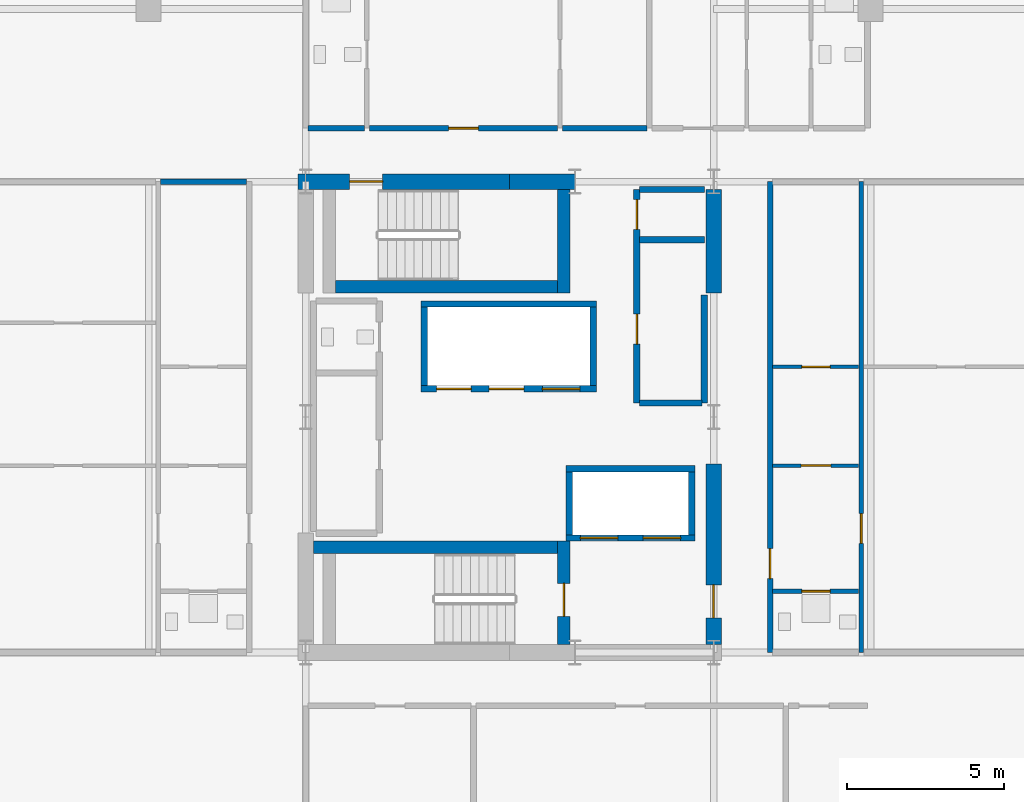
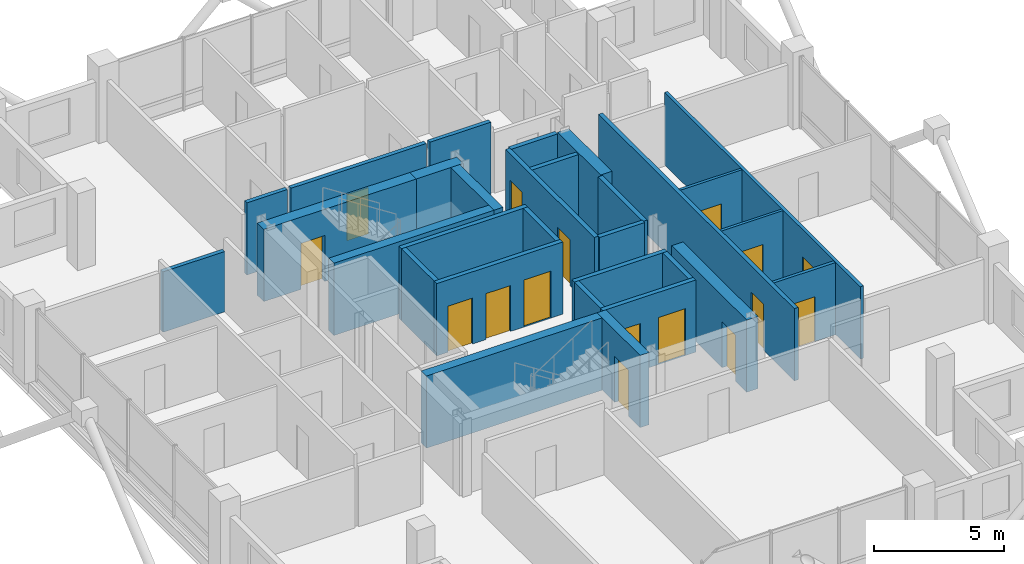
# One storey, part 19 of 23: 30 walls, 16 doors, 16 openings.
"""IFC4 building model written with IfcOpenShell, lengths in metres."""

import ifcopenshell
import ifcopenshell.guid

model = None  # the IFC model being written
_history = None  # IfcOwnerHistory: only IFC2X3 demands one
_inside = {}  # id of a spatial element -> (the spatial element, [elements in it])
_under = {}  # id of a project, library or spatial element -> (it, [spatial elements below it])
_declared = {}  # id of a project -> (the project, [libraries it declares])
_typed = {}  # id of a type object -> (the type object, [elements of that type])
_made_of = {}  # id of a material, layer set ... -> (it, [elements and type objects made of it])


def new_model(schema):
    """Start an empty IFC model of exactly this schema.

    Asked for "IFC4X3", IfcOpenShell would pick the latest addendum, in which some entities
    have other attributes; the version numbers below select the first issue.
    IFC2X3 requires an IfcOwnerHistory on every rooted entity: one is made here for all.
    """
    global model, _history
    if schema == "IFC4X3":
        model = ifcopenshell.file(schema_version=(4, 3, 0, 0))
    else:
        model = ifcopenshell.file(schema=schema)
    _inside.clear()
    _under.clear()
    _declared.clear()
    _typed.clear()
    _made_of.clear()
    _history = None
    if model.schema == "IFC2X3":
        org = make("IfcOrganization", Name="unknown")
        user = make(
            "IfcPersonAndOrganization",
            ThePerson=make("IfcPerson", FamilyName="unknown"),
            TheOrganization=org,
        )
        app = make(
            "IfcApplication",
            ApplicationDeveloper=org,
            Version="unknown",
            ApplicationFullName="unknown",
            ApplicationIdentifier="unknown",
        )
        _history = make(
            "IfcOwnerHistory",
            OwningUser=user,
            OwningApplication=app,
            ChangeAction="ADDED",
            CreationDate=0,
        )
    return model


def make(cls, **values):
    """One entity of the class cls with the attributes given. An attribute that is None is left unset."""
    return model.create_entity(
        cls, **{name: value for name, value in values.items() if value is not None}
    )


def rooted(cls, **values):
    """An entity with a GlobalId (a new one), such as an element, a storey or a relation."""
    return make(cls, GlobalId=ifcopenshell.guid.new(), OwnerHistory=_history, **values)


def si_unit(unit_type, name, prefix=None):
    """IfcSIUnit, for example si_unit("LENGTHUNIT", "METRE", prefix="MILLI")."""
    return make("IfcSIUnit", UnitType=unit_type, Prefix=prefix, Name=name)


def assignment(units):
    """IfcUnitAssignment: the units of a project."""
    return None if units is None else make("IfcUnitAssignment", Units=units)


def point(xyz):
    """IfcCartesianPoint."""
    return None if xyz is None else make("IfcCartesianPoint", Coordinates=xyz)


def direction(xyz):
    """IfcDirection."""
    return None if xyz is None else make("IfcDirection", DirectionRatios=xyz)


def frame(location, z_axis=None, x_axis=None):
    """IfcAxis2Placement3D, a coordinate frame: its origin and axes. An axis left out is left unset."""
    return make(
        "IfcAxis2Placement3D",
        Location=point(location),
        Axis=direction(z_axis),
        RefDirection=direction(x_axis),
    )


def frame_2d(location, x_axis=None):
    """IfcAxis2Placement2D, a coordinate frame in the plane: its origin and x axis."""
    return make(
        "IfcAxis2Placement2D", Location=point(location), RefDirection=direction(x_axis)
    )


def origin():
    """The frame at (0, 0, 0) with its axes left unset."""
    return frame((0.0, 0.0, 0.0))


def place(relative_to, where):
    """IfcLocalPlacement: puts the frame where relative to a parent placement (None: the world)."""
    return make(
        "IfcLocalPlacement", PlacementRelTo=relative_to, RelativePlacement=where
    )


def context(
    kind, dimensions, precision=None, world=None, true_north=None, identifier=None
):
    """IfcGeometricRepresentationContext, for example the 3D "Model" context."""
    return make(
        "IfcGeometricRepresentationContext",
        ContextIdentifier=identifier,
        ContextType=kind,
        CoordinateSpaceDimension=dimensions,
        Precision=precision,
        WorldCoordinateSystem=world,
        TrueNorth=true_north,
    )


def subcontext(parent, identifier, kind, view, scale=None):
    """IfcGeometricRepresentationSubContext, for example "Body" below "Model"."""
    return make(
        "IfcGeometricRepresentationSubContext",
        ContextIdentifier=identifier,
        ContextType=kind,
        ParentContext=parent,
        TargetScale=scale,
        TargetView=view,
    )


def project(units=None, contexts=None):
    """IfcProject with its units and contexts."""
    return rooted(
        "IfcProject",
        Name="project",
        RepresentationContexts=contexts,
        UnitsInContext=assignment(units),
    )


def spatial(cls, under=None, at=None, **own):
    """A site, building, storey or space (cls), placed at a placement, below another one or the project."""
    s = rooted(cls, ObjectPlacement=at, **own)
    if under is not None:
        _under.setdefault(under.id(), (under, []))[1].append(s)
    return s


def profile(cls, at=None, kind="AREA", **sizes):
    """A parametric profile (cls). Its sizes go by their IFC names, for example OverallWidth=200.0."""
    return make(cls, ProfileType=kind, Position=at, **sizes)


def rectangle(**sizes):
    """IfcRectangleProfileDef."""
    return profile("IfcRectangleProfileDef", **sizes)


def extrude(swept, where, along, depth):
    """IfcExtrudedAreaSolid: the profile swept, set in the frame where, extruded along a direction by depth."""
    return make(
        "IfcExtrudedAreaSolid",
        SweptArea=swept,
        Position=where,
        ExtrudedDirection=direction(along),
        Depth=depth,
    )


def shape(context_of_items, identifier, shape_type, items):
    """IfcShapeRepresentation: the items that make up one representation, for example the "Body"."""
    return make(
        "IfcShapeRepresentation",
        ContextOfItems=context_of_items,
        RepresentationIdentifier=identifier,
        RepresentationType=shape_type,
        Items=items,
    )


def material(Name=None, Category=None):
    """IfcMaterial."""
    return make("IfcMaterial", Name=Name, Category=Category)


def layer(
    of_material, thickness, ventilated=None, Name=None, Category=None, Priority=None
):
    """IfcMaterialLayer: one layer of a wall or slab, of a material (None: an air gap)."""
    return make(
        "IfcMaterialLayer",
        Material=of_material,
        LayerThickness=thickness,
        IsVentilated=ventilated,
        Name=Name,
        Category=Category,
        Priority=Priority,
    )


def layer_set(layers, Name=None):
    """IfcMaterialLayerSet."""
    return make("IfcMaterialLayerSet", MaterialLayers=layers, LayerSetName=Name)


def made_of(thing, what):
    """Note that an element or type object is made of a material, layer set ...; save() writes the relation."""
    if what is not None:
        _made_of.setdefault(what.id(), (what, []))[1].append(thing)
    return thing


def type_object(cls, material=None, **own):
    """A type object (cls), such as IfcWallType, which elements share."""
    return made_of(rooted(cls, **own), material)


def element(
    cls,
    number,
    at=None,
    inside=None,
    cuts=None,
    type_object=None,
    material=None,
    context=None,
    identifier="Body",
    shape_type=None,
    held_by="IfcProductDefinitionShape",
    body=None,
    shapes=None,
    **own,
):
    """One element of the class cls, such as IfcWall. Its Tag is "e" and its number.

    at: its placement. inside: the storey or other place that contains it. cuts: it is an
    opening in that element (IfcRelVoidsElement). A single representation is given by context,
    identifier, shape_type and body (its items); several are given by shapes. held_by: the class
    of the entity that holds the representations. save() writes the other relations.
    """
    e = rooted(cls, Tag="e%d" % number, ObjectPlacement=at, **own)
    if body is not None:
        shapes = [shape(context, identifier, shape_type, body)]
    if shapes is not None:
        e.Representation = make(held_by, Representations=shapes)
    if inside is not None:
        _inside.setdefault(inside.id(), (inside, []))[1].append(e)
    if cuts is not None:
        rooted(
            "IfcRelVoidsElement", RelatingBuildingElement=cuts, RelatedOpeningElement=e
        )
    if type_object is not None:
        _typed.setdefault(type_object.id(), (type_object, []))[1].append(e)
    return made_of(e, material)


def fill(opening, filler):
    """IfcRelFillsElement: the door or window that sits in an opening."""
    return rooted(
        "IfcRelFillsElement",
        RelatingOpeningElement=opening,
        RelatedBuildingElement=filler,
    )


def aggregate(whole, parts):
    """IfcRelAggregates: a whole, such as a stair, and the parts it consists of."""
    return rooted("IfcRelAggregates", RelatingObject=whole, RelatedObjects=parts)


def save(model, path):
    """Write the relations noted so far, then the file.

    IfcRelAggregates (storeys below a building ...), IfcRelContainedInSpatialStructure (elements
    in a storey), IfcRelDefinesByType, IfcRelAssociatesMaterial and IfcRelDeclares: one each for
    every whole, place, type object, material and project.
    """
    for whole, parts in _under.values():
        aggregate(whole, parts)
    for where, things in _inside.values():
        rooted(
            "IfcRelContainedInSpatialStructure",
            RelatedElements=things,
            RelatingStructure=where,
        )
    for kind, things in _typed.values():
        rooted("IfcRelDefinesByType", RelatedObjects=things, RelatingType=kind)
    for what, things in _made_of.values():
        rooted("IfcRelAssociatesMaterial", RelatedObjects=things, RelatingMaterial=what)
    for by, libraries in _declared.values():
        rooted("IfcRelDeclares", RelatingContext=by, RelatedDefinitions=libraries)
    model.write(path)


model = new_model("IFC4")

# Units and contexts
model_context = context("Model", 3, precision=1e-05, world=origin(), true_north=direction((0.0, 1.0)))
body_context = subcontext(model_context, "Body", "Model", "MODEL_VIEW")
ifc_project = project(units=[si_unit("LENGTHUNIT", "METRE"), si_unit("AREAUNIT", "SQUARE_METRE"), si_unit("VOLUMEUNIT", "CUBIC_METRE"), si_unit("PLANEANGLEUNIT", "RADIAN"), si_unit("MASSUNIT", "GRAM", prefix="KILO")], contexts=[model_context])

# Site, building, storey
site_placement = place(None, origin())
site = spatial("IfcSite", under=ifc_project, at=site_placement, CompositionType="ELEMENT")
building_placement = place(site_placement, origin())
building = spatial("IfcBuilding", under=site, at=building_placement, Name="Barlavira Tower and Art Museum", CompositionType="ELEMENT")
storey_placement = place(building_placement, frame((0.0, 0.0, 247.5)))
storey = spatial("IfcBuildingStorey", under=building, at=storey_placement, Name="L64", CompositionType="ELEMENT", Elevation=247.5)

# Wall, opening, door
ifc_material_1 = material(Name="Gypsum acoustic stud partition", Category="gypsum")
ifc_layer_1 = layer(ifc_material_1, 0.1201171875, Name="Gypsum acoustic stud partition")
ifc_layer_set_1 = layer_set([ifc_layer_1], Name="Gypsum acoustic stud partition")
wall_type_1 = type_object("IfcWallType", Name="Apartment Internal Acoustic Partition 120", PredefinedType="PARTITIONING", material=ifc_layer_set_1)
wall_1_placement = place(storey_placement, frame((8.3798828125, -1.550048828125, 0.0), z_axis=(0.0, 0.0, 1.0), x_axis=(1.0, 0.0, 0.0)))
wall_1 = element("IfcWall", 1, at=wall_1_placement, inside=storey, type_object=wall_type_1, Name="L64 Partition Wall 33", PredefinedType="PARTITIONING", context=body_context, shape_type="SweptSolid", body=[
    extrude(rectangle(XDim=2.740234375, YDim=0.1201171875, at=frame_2d((1.3701171875, 0.0))), origin(), (0.0, 0.0, 1.0), 3.3798828125),
])
opening_1_placement = place(wall_1_placement, frame((0.905029296875, 0.0, 0.0)))
opening_1 = element("IfcOpeningElement", 2, at=opening_1_placement, cuts=wall_1, Name="Opening D-02", PredefinedType="OPENING", context=body_context, shape_type="SweptSolid", body=[
    extrude(rectangle(XDim=0.949951171875, YDim=2.10009765625, at=frame_2d((0.47509765625, 1.050048828125))), frame((0.0, 0.070068359375, 0.0), z_axis=(0.0, -1.0, 0.0), x_axis=(1.0, 0.0, 0.0)), (0.0, 0.0, 1.0), 0.14013671875),
])
ifc_material_2 = material(Name="Engineered coastal hardwood", Category="wood")
door_type_1 = type_object("IfcDoorType", Name="Living and Salon Glazed-Leaf Door 950x2100", OperationType="NOTDEFINED", PredefinedType="DOOR", material=ifc_material_2)
door_1_placement = place(opening_1_placement, origin())
door_1 = element("IfcDoor", 3, at=door_1_placement, inside=storey, type_object=door_type_1, Name="Apartment E1 Kitchen Door", OperationType="SINGLE_SWING_LEFT", OverallHeight=2.10009765625, OverallWidth=0.949951171875, PredefinedType="DOOR", context=body_context, shape_type="SweptSolid", body=[
    extrude(rectangle(XDim=0.949951171875, YDim=2.10009765625, at=frame_2d((0.47509765625, 1.050048828125))), frame((0.0, 0.02490234375, 0.0), z_axis=(0.0, -1.0, 0.0), x_axis=(1.0, 0.0, 0.0)), (0.0, 0.0, 1.0), 0.050048828125),
])
fill(opening_1, door_1)

wall_2_placement = place(storey_placement, frame((8.3798828125, 1.60009765625, 0.0), z_axis=(0.0, 0.0, 1.0), x_axis=(1.0, 0.0, 0.0)))
wall_2 = element("IfcWall", 4, at=wall_2_placement, inside=storey, type_object=wall_type_1, Name="L64 Partition Wall 37", PredefinedType="PARTITIONING", context=body_context, shape_type="SweptSolid", body=[
    extrude(rectangle(XDim=2.740234375, YDim=0.1201171875, at=frame_2d((1.3701171875, 0.0))), origin(), (0.0, 0.0, 1.0), 3.3798828125),
])
opening_2_placement = place(wall_2_placement, frame((0.929931640625, 0.0, 0.0)))
opening_2 = element("IfcOpeningElement", 5, at=opening_2_placement, cuts=wall_2, Name="Opening D-01", PredefinedType="OPENING", context=body_context, shape_type="SweptSolid", body=[
    extrude(rectangle(XDim=0.89990234375, YDim=2.10009765625, at=frame_2d((0.449951171875, 1.050048828125))), frame((0.0, 0.070068359375, 0.0), z_axis=(0.0, -1.0, 0.0), x_axis=(1.0, 0.0, 0.0)), (0.0, 0.0, 1.0), 0.14013671875),
])
door_type_2 = type_object("IfcDoorType", Name="Internal Bedroom Timber Flush Door 900x2100", OperationType="NOTDEFINED", PredefinedType="DOOR", material=ifc_material_2)
door_2_placement = place(opening_2_placement, origin())
door_2 = element("IfcDoor", 6, at=door_2_placement, inside=storey, type_object=door_type_2, Name="Apartment E1 Walk-In Dressing Room Door", OperationType="SINGLE_SWING_RIGHT", OverallHeight=2.10009765625, OverallWidth=0.89990234375, PredefinedType="DOOR", context=body_context, shape_type="SweptSolid", body=[
    extrude(rectangle(XDim=0.89990234375, YDim=2.10009765625, at=frame_2d((0.449951171875, 1.050048828125))), frame((0.0, 0.02490234375, 0.0), z_axis=(0.0, -1.0, 0.0), x_axis=(1.0, 0.0, 0.0)), (0.0, 0.0, 1.0), 0.050048828125),
])
fill(opening_2, door_2)

ifc_material_3 = material(Name="Concrete C60", Category="concrete")
ifc_layer_2 = layer(ifc_material_3, 0.5, Name="Concrete C60")
ifc_layer_set_2 = layer_set([ifc_layer_2], Name="Concrete C60")
wall_type_2 = type_object("IfcWallType", Name="Core Structural Shear Wall 500 Concrete C60", PredefinedType="SHEAR", material=ifc_layer_set_2)
wall_3_placement = place(storey_placement, frame((-6.75, 7.5, 0.0), z_axis=(0.0, 0.0, 1.0), x_axis=(1.0, 0.0, 0.0)))
wall_3 = element("IfcWall", 7, at=wall_3_placement, inside=storey, type_object=wall_type_2, Name="L64 Core Shear Wall CS-NW", PredefinedType="SHEAR", context=body_context, shape_type="SweptSolid", body=[
    extrude(rectangle(XDim=6.75, YDim=0.5, at=frame_2d((3.375, 0.0))), origin(), (0.0, 0.0, 1.0), 3.3798828125),
])
opening_3_placement = place(wall_3_placement, frame((1.64990234375, 0.0, 0.0)))
opening_3 = element("IfcOpeningElement", 8, at=opening_3_placement, cuts=wall_3, Name="Opening FD-90", PredefinedType="OPENING", context=body_context, shape_type="SweptSolid", body=[
    extrude(rectangle(XDim=1.050048828125, YDim=2.14990234375, at=frame_2d((0.52490234375, 1.074951171875))), frame((0.0, 0.260009765625, 0.0), z_axis=(0.0, -1.0, 0.0), x_axis=(1.0, 0.0, 0.0)), (0.0, 0.0, 1.0), 0.52001953125),
])
ifc_material_4 = material(Name="Brushed stainless steel", Category="steel")
door_type_3 = type_object("IfcDoorType", Name="Stair and Refuge Fire Door 1050x2150 FD90S", OperationType="NOTDEFINED", PredefinedType="DOOR", material=ifc_material_4)
door_3_placement = place(opening_3_placement, origin())
door_3 = element("IfcDoor", 9, at=door_3_placement, inside=storey, type_object=door_type_3, Name="L64 Stair ST-T2 Fire Door", OperationType="SINGLE_SWING_LEFT", OverallHeight=2.14990234375, OverallWidth=1.050048828125, PredefinedType="DOOR", context=body_context, shape_type="SweptSolid", body=[
    extrude(rectangle(XDim=1.050048828125, YDim=2.14990234375, at=frame_2d((0.52490234375, 1.074951171875))), frame((0.0, 0.02490234375, 0.0), z_axis=(0.0, -1.0, 0.0), x_axis=(1.0, 0.0, 0.0)), (0.0, 0.0, 1.0), 0.050048828125),
])
fill(opening_3, door_3)

# Wall
wall_4_placement = place(storey_placement, frame((0.0, 7.5, 0.0), z_axis=(0.0, 0.0, 1.0), x_axis=(1.0, 0.0, 0.0)))
element("IfcWall", 10, at=wall_4_placement, inside=storey, type_object=wall_type_2, Name="L64 Core Shear Wall CS-EN", PredefinedType="SHEAR", context=body_context, shape_type="SweptSolid", body=[
    extrude(rectangle(XDim=2.080078125, YDim=0.5, at=frame_2d((1.0400390625, 0.0))), origin(), (0.0, 0.0, 1.0), 3.3798828125),
])

# Wall, opening, door
wall_5_placement = place(storey_placement, frame((6.5, -7.25, 0.0), z_axis=(0.0, 0.0, 1.0), x_axis=(0.0, 1.0, 0.0)))
wall_5 = element("IfcWall", 11, at=wall_5_placement, inside=storey, type_object=wall_type_2, Name="L64 Core Shear Wall CS-E1", PredefinedType="SHEAR", context=body_context, shape_type="SweptSolid", body=[
    extrude(rectangle(XDim=5.75, YDim=0.5, at=frame_2d((2.875, 0.0))), origin(), (0.0, 0.0, 1.0), 3.3798828125),
])
opening_4_placement = place(wall_5_placement, frame((0.85009765625, 0.0, 0.0)))
opening_4 = element("IfcOpeningElement", 12, at=opening_4_placement, cuts=wall_5, Name="Opening FD-90", PredefinedType="OPENING", context=body_context, shape_type="SweptSolid", body=[
    extrude(rectangle(XDim=1.050048828125, YDim=2.14990234375, at=frame_2d((0.52490234375, 1.074951171875))), frame((0.0, 0.260009765625, 0.0), z_axis=(0.0, -1.0, 0.0), x_axis=(1.0, 0.0, 0.0)), (0.0, 0.0, 1.0), 0.52001953125),
])
door_4_placement = place(opening_4_placement, origin())
door_4 = element("IfcDoor", 13, at=door_4_placement, inside=storey, type_object=door_type_3, Name="L64 Firefighting Lobby Entry Fire Door", OperationType="SINGLE_SWING_LEFT", OverallHeight=2.14990234375, OverallWidth=1.050048828125, PredefinedType="DOOR", context=body_context, shape_type="SweptSolid", body=[
    extrude(rectangle(XDim=1.050048828125, YDim=2.14990234375, at=frame_2d((0.52490234375, 1.074951171875))), frame((0.0, 0.02490234375, 0.0), z_axis=(0.0, -1.0, 0.0), x_axis=(1.0, 0.0, 0.0)), (0.0, 0.0, 1.0), 0.050048828125),
])
fill(opening_4, door_4)

# Wall
wall_6_placement = place(storey_placement, frame((6.5, 3.949951171875, 0.0), z_axis=(0.0, 0.0, 1.0), x_axis=(0.0, 1.0, 0.0)))
element("IfcWall", 14, at=wall_6_placement, inside=storey, type_object=wall_type_2, Name="L64 Core Shear Wall CS-E2", PredefinedType="SHEAR", context=body_context, shape_type="SweptSolid", body=[
    extrude(rectangle(XDim=3.300048828125, YDim=0.5, at=frame_2d((1.64990234375, 0.0))), origin(), (0.0, 0.0, 1.0), 3.3798828125),
])

# Wall, openings, doors
ifc_material_5 = material(Name="Autoclaved aerated concrete masonry", Category="masonry")
ifc_layer_3 = layer(ifc_material_5, 0.199951171875, Name="Autoclaved aerated concrete masonry")
ifc_layer_set_3 = layer_set([ifc_layer_3], Name="Autoclaved aerated concrete masonry")
wall_type_3 = type_object("IfcWallType", Name="Fire Compartment and Shaft Wall 200", PredefinedType="SOLIDWALL", material=ifc_layer_set_3)
wall_7_placement = place(storey_placement, frame((-2.820068359375, 0.89990234375, 0.0), z_axis=(0.0, 0.0, 1.0), x_axis=(1.0, 0.0, 0.0)))
wall_7 = element("IfcWall", 15, at=wall_7_placement, inside=storey, type_object=wall_type_3, Name="L64 High-Rise & Service Lift Front Wall", PredefinedType="SOLIDWALL", context=body_context, shape_type="SweptSolid", body=[
    extrude(rectangle(XDim=5.580078125, YDim=0.199951171875, at=frame_2d((2.7900390625, 0.0))), origin(), (0.0, 0.0, 1.0), 3.3798828125),
])
opening_5_placement = place(wall_7_placement, frame((0.489990234375, 0.0, 0.0)))
opening_5 = element("IfcOpeningElement", 16, at=opening_5_placement, cuts=wall_7, Name="Opening LD-P", PredefinedType="OPENING", context=body_context, shape_type="SweptSolid", body=[
    extrude(rectangle(XDim=1.10009765625, YDim=2.14990234375, at=frame_2d((0.550048828125, 1.074951171875))), frame((0.0, 0.10986328125, 0.0), z_axis=(0.0, -1.0, 0.0), x_axis=(1.0, 0.0, 0.0)), (0.0, 0.0, 1.0), 0.219970703125),
])
opening_6_placement = place(wall_7_placement, frame((2.169921875, 0.0, 0.0)))
opening_6 = element("IfcOpeningElement", 17, at=opening_6_placement, cuts=wall_7, Name="Opening LD-P", PredefinedType="OPENING", context=body_context, shape_type="SweptSolid", body=[
    extrude(rectangle(XDim=1.10009765625, YDim=2.14990234375, at=frame_2d((0.550048828125, 1.074951171875))), frame((0.0, 0.10986328125, 0.0), z_axis=(0.0, -1.0, 0.0), x_axis=(1.0, 0.0, 0.0)), (0.0, 0.0, 1.0), 0.219970703125),
])
opening_7_placement = place(wall_7_placement, frame((3.860107421875, 0.0, 0.0)))
opening_7 = element("IfcOpeningElement", 18, at=opening_7_placement, cuts=wall_7, Name="Opening LD-F", PredefinedType="OPENING", context=body_context, shape_type="SweptSolid", body=[
    extrude(rectangle(XDim=1.199951171875, YDim=2.199951171875, at=frame_2d((0.60009765625, 1.10009765625))), frame((0.0, 0.10986328125, 0.0), z_axis=(0.0, -1.0, 0.0), x_axis=(1.0, 0.0, 0.0)), (0.0, 0.0, 1.0), 0.219970703125),
])
door_type_4 = type_object("IfcDoorType", Name="Firefighting and Service Lift Sliding Door 1200x2200 FD120", OperationType="NOTDEFINED", PredefinedType="DOOR", material=ifc_material_4)
door_5_placement = place(opening_7_placement, origin())
door_5 = element("IfcDoor", 19, at=door_5_placement, inside=storey, type_object=door_type_4, Name="L64 Stretcher Service Lift SL1 Sliding Door", OperationType="DOUBLE_DOOR_SLIDING", OverallHeight=2.199951171875, OverallWidth=1.199951171875, PredefinedType="DOOR", context=body_context, shape_type="SweptSolid", body=[
    extrude(rectangle(XDim=1.199951171875, YDim=2.199951171875, at=frame_2d((0.60009765625, 1.10009765625))), frame((0.0, 0.02490234375, 0.0), z_axis=(0.0, -1.0, 0.0), x_axis=(1.0, 0.0, 0.0)), (0.0, 0.0, 1.0), 0.050048828125),
])
fill(opening_7, door_5)
door_type_5 = type_object("IfcDoorType", Name="Passenger Lift Sliding Landing Door 1100x2150 FD60", OperationType="NOTDEFINED", PredefinedType="DOOR", material=ifc_material_4)
door_6_placement = place(opening_5_placement, origin())
door_6 = element("IfcDoor", 20, at=door_6_placement, inside=storey, type_object=door_type_5, Name="L64 Lift PH1 Sliding Landing Door", OperationType="DOUBLE_DOOR_SLIDING", OverallHeight=2.14990234375, OverallWidth=1.10009765625, PredefinedType="DOOR", context=body_context, shape_type="SweptSolid", body=[
    extrude(rectangle(XDim=1.10009765625, YDim=2.14990234375, at=frame_2d((0.550048828125, 1.074951171875))), frame((0.0, 0.02490234375, 0.0), z_axis=(0.0, -1.0, 0.0), x_axis=(1.0, 0.0, 0.0)), (0.0, 0.0, 1.0), 0.050048828125),
])
fill(opening_5, door_6)
door_7_placement = place(opening_6_placement, origin())
door_7 = element("IfcDoor", 21, at=door_7_placement, inside=storey, type_object=door_type_5, Name="L64 Lift PH2 Sliding Landing Door", OperationType="DOUBLE_DOOR_SLIDING", OverallHeight=2.14990234375, OverallWidth=1.10009765625, PredefinedType="DOOR", context=body_context, shape_type="SweptSolid", body=[
    extrude(rectangle(XDim=1.10009765625, YDim=2.14990234375, at=frame_2d((0.550048828125, 1.074951171875))), frame((0.0, 0.02490234375, 0.0), z_axis=(0.0, -1.0, 0.0), x_axis=(1.0, 0.0, 0.0)), (0.0, 0.0, 1.0), 0.050048828125),
])
fill(opening_6, door_7)

# Walls
wall_8_placement = place(storey_placement, frame((-2.820068359375, 3.60009765625, 0.0), z_axis=(0.0, 0.0, 1.0), x_axis=(1.0, 0.0, 0.0)))
element("IfcWall", 22, at=wall_8_placement, inside=storey, type_object=wall_type_3, Name="L64 High-Rise & Service Lift Back Wall", PredefinedType="SOLIDWALL", context=body_context, shape_type="SweptSolid", body=[
    extrude(rectangle(XDim=5.580078125, YDim=0.199951171875, at=frame_2d((2.7900390625, 0.0))), origin(), (0.0, 0.0, 1.0), 3.3798828125),
])
for number, where, z_axis, x_axis, name in (
    (23, (-2.719970703125, 1.0, 0.0), (0.0, 0.0, 1.0), (0.0, 1.0, 0.0), "L64 High-Rise & Service Lift West Wall"),
    (24, (2.659912109375, 1.0, 0.0), (0.0, 0.0, 1.0), (0.0, 1.0, 0.0), "L64 High-Rise & Service Lift East Wall"),
):
    element("IfcWall", number, at=place(storey_placement, frame(where, z_axis=z_axis, x_axis=x_axis)), inside=storey, type_object=wall_type_3, Name=name, PredefinedType="SOLIDWALL", context=body_context, shape_type="SweptSolid", body=[
        extrude(rectangle(XDim=2.5, YDim=0.199951171875, at=frame_2d((1.25, 0.0))), origin(), (0.0, 0.0, 1.0), 3.3798828125),
    ])

# Wall, openings, doors
wall_9_placement = place(storey_placement, frame((1.800048828125, -3.85009765625, 0.0), z_axis=(0.0, 0.0, 1.0), x_axis=(1.0, 0.0, 0.0)))
wall_9 = element("IfcWall", 25, at=wall_9_placement, inside=storey, type_object=wall_type_3, Name="L64 Firefighting Lift Front Shaft Wall", PredefinedType="SOLIDWALL", context=body_context, shape_type="SweptSolid", body=[
    extrude(rectangle(XDim=4.099853515625, YDim=0.199951171875, at=frame_2d((2.0498046875, 0.0))), origin(), (0.0, 0.0, 1.0), 3.3798828125),
])
opening_8_placement = place(wall_9_placement, frame((0.449951171875, 0.0, 0.0)))
opening_8 = element("IfcOpeningElement", 26, at=opening_8_placement, cuts=wall_9, Name="Opening LD-F", PredefinedType="OPENING", context=body_context, shape_type="SweptSolid", body=[
    extrude(rectangle(XDim=1.199951171875, YDim=2.199951171875, at=frame_2d((0.60009765625, 1.10009765625))), frame((0.0, 0.10986328125, 0.0), z_axis=(0.0, -1.0, 0.0), x_axis=(1.0, 0.0, 0.0)), (0.0, 0.0, 1.0), 0.219970703125),
])
opening_9_placement = place(wall_9_placement, frame((2.449951171875, 0.0, 0.0)))
opening_9 = element("IfcOpeningElement", 27, at=opening_9_placement, cuts=wall_9, Name="Opening LD-F", PredefinedType="OPENING", context=body_context, shape_type="SweptSolid", body=[
    extrude(rectangle(XDim=1.199951171875, YDim=2.199951171875, at=frame_2d((0.60009765625, 1.10009765625))), frame((0.0, 0.10986328125, 0.0), z_axis=(0.0, -1.0, 0.0), x_axis=(1.0, 0.0, 0.0)), (0.0, 0.0, 1.0), 0.219970703125),
])
door_8_placement = place(opening_8_placement, origin())
door_8 = element("IfcDoor", 28, at=door_8_placement, inside=storey, type_object=door_type_4, Name="L64 Firefighting Lift FF1 Sliding Door", OperationType="DOUBLE_DOOR_SLIDING", OverallHeight=2.199951171875, OverallWidth=1.199951171875, PredefinedType="DOOR", context=body_context, shape_type="SweptSolid", body=[
    extrude(rectangle(XDim=1.199951171875, YDim=2.199951171875, at=frame_2d((0.60009765625, 1.10009765625))), frame((0.0, 0.02490234375, 0.0), z_axis=(0.0, -1.0, 0.0), x_axis=(1.0, 0.0, 0.0)), (0.0, 0.0, 1.0), 0.050048828125),
])
fill(opening_8, door_8)
door_9_placement = place(opening_9_placement, origin())
door_9 = element("IfcDoor", 29, at=door_9_placement, inside=storey, type_object=door_type_4, Name="L64 Firefighting Lift FF2 Sliding Door", OperationType="DOUBLE_DOOR_SLIDING", OverallHeight=2.199951171875, OverallWidth=1.199951171875, PredefinedType="DOOR", context=body_context, shape_type="SweptSolid", body=[
    extrude(rectangle(XDim=1.199951171875, YDim=2.199951171875, at=frame_2d((0.60009765625, 1.10009765625))), frame((0.0, 0.02490234375, 0.0), z_axis=(0.0, -1.0, 0.0), x_axis=(1.0, 0.0, 0.0)), (0.0, 0.0, 1.0), 0.050048828125),
])
fill(opening_9, door_9)

# Walls
wall_10_placement = place(storey_placement, frame((1.800048828125, -1.64990234375, 0.0), z_axis=(0.0, 0.0, 1.0), x_axis=(1.0, 0.0, 0.0)))
element("IfcWall", 30, at=wall_10_placement, inside=storey, type_object=wall_type_3, Name="L64 Firefighting Lift Back Shaft Wall", PredefinedType="SOLIDWALL", context=body_context, shape_type="SweptSolid", body=[
    extrude(rectangle(XDim=4.099853515625, YDim=0.199951171875, at=frame_2d((2.0498046875, 0.0))), origin(), (0.0, 0.0, 1.0), 3.3798828125),
])
for number, where, z_axis, x_axis, name in (
    (31, (1.89990234375, -3.75, 0.0), (0.0, 0.0, 1.0), (0.0, 1.0, 0.0), "L64 Firefighting Lift West Shaft Wall"),
    (32, (5.800048828125, -3.75, 0.0), (0.0, 0.0, 1.0), (0.0, 1.0, 0.0), "L64 Firefighting Lift East Shaft Wall"),
):
    element("IfcWall", number, at=place(storey_placement, frame(where, z_axis=z_axis, x_axis=x_axis)), inside=storey, type_object=wall_type_3, Name=name, PredefinedType="SOLIDWALL", context=body_context, shape_type="SweptSolid", body=[
        extrude(rectangle(XDim=2.0, YDim=0.199951171875, at=frame_2d((1.0, 0.0))), origin(), (0.0, 0.0, 1.0), 3.3798828125),
    ])

# Wall, openings, doors
wall_11_placement = place(storey_placement, frame((4.050048828125, 0.449951171875, 0.0), z_axis=(0.0, 0.0, 1.0), x_axis=(0.0, 1.0, 0.0)))
wall_11 = element("IfcWall", 33, at=wall_11_placement, inside=storey, type_object=wall_type_3, Name="L64 Partition Wall 11", PredefinedType="SOLIDWALL", context=body_context, shape_type="SweptSolid", body=[
    extrude(rectangle(XDim=6.800048828125, YDim=0.199951171875, at=frame_2d((3.39990234375, 0.0))), origin(), (0.0, 0.0, 1.0), 3.3798828125),
])
opening_10_placement = place(wall_11_placement, frame((1.875, 0.0, 0.0)))
opening_10 = element("IfcOpeningElement", 34, at=opening_10_placement, cuts=wall_11, Name="Opening FD-60", PredefinedType="OPENING", context=body_context, shape_type="SweptSolid", body=[
    extrude(rectangle(XDim=0.949951171875, YDim=2.14990234375, at=frame_2d((0.47509765625, 1.074951171875))), frame((0.0, 0.10986328125, 0.0), z_axis=(0.0, -1.0, 0.0), x_axis=(1.0, 0.0, 0.0)), (0.0, 0.0, 1.0), 0.219970703125),
])
opening_11_placement = place(wall_11_placement, frame((5.52490234375, 0.0, 0.0)))
opening_11 = element("IfcOpeningElement", 35, at=opening_11_placement, cuts=wall_11, Name="Opening FD-60", PredefinedType="OPENING", context=body_context, shape_type="SweptSolid", body=[
    extrude(rectangle(XDim=0.949951171875, YDim=2.14990234375, at=frame_2d((0.47509765625, 1.074951171875))), frame((0.0, 0.10986328125, 0.0), z_axis=(0.0, -1.0, 0.0), x_axis=(1.0, 0.0, 0.0)), (0.0, 0.0, 1.0), 0.219970703125),
])
door_type_6 = type_object("IfcDoorType", Name="Apartment Entrance and Riser Fire Door 950x2150 FD60S", OperationType="NOTDEFINED", PredefinedType="DOOR", material=ifc_material_4)
door_10_placement = place(opening_10_placement, origin())
door_10 = element("IfcDoor", 36, at=door_10_placement, inside=storey, type_object=door_type_6, Name="Reclaimed Upper Core Study Salon Door", OperationType="SINGLE_SWING_RIGHT", OverallHeight=2.14990234375, OverallWidth=0.949951171875, PredefinedType="DOOR", context=body_context, shape_type="SweptSolid", body=[
    extrude(rectangle(XDim=0.949951171875, YDim=2.14990234375, at=frame_2d((0.47509765625, 1.074951171875))), frame((0.0, 0.02490234375, 0.0), z_axis=(0.0, -1.0, 0.0), x_axis=(1.0, 0.0, 0.0)), (0.0, 0.0, 1.0), 0.050048828125),
])
fill(opening_10, door_10)
door_11_placement = place(opening_11_placement, origin())
door_11 = element("IfcDoor", 37, at=door_11_placement, inside=storey, type_object=door_type_6, Name="Telecom and BMS Distribution Room Door", OperationType="SINGLE_SWING_LEFT", OverallHeight=2.14990234375, OverallWidth=0.949951171875, PredefinedType="DOOR", context=body_context, shape_type="SweptSolid", body=[
    extrude(rectangle(XDim=0.949951171875, YDim=2.14990234375, at=frame_2d((0.47509765625, 1.074951171875))), frame((0.0, 0.02490234375, 0.0), z_axis=(0.0, -1.0, 0.0), x_axis=(1.0, 0.0, 0.0)), (0.0, 0.0, 1.0), 0.050048828125),
])
fill(opening_11, door_11)

# Walls
wall_12_placement = place(storey_placement, frame((6.199951171875, 0.449951171875, 0.0), z_axis=(0.0, 0.0, 1.0), x_axis=(0.0, 1.0, 0.0)))
element("IfcWall", 38, at=wall_12_placement, inside=storey, type_object=wall_type_3, Name="L64 Partition Wall 13", PredefinedType="SOLIDWALL", context=body_context, shape_type="SweptSolid", body=[
    extrude(rectangle(XDim=3.43994140625, YDim=0.199951171875, at=frame_2d((1.719970703125, 0.0))), origin(), (0.0, 0.0, 1.0), 3.3798828125),
])
wall_13_placement = place(storey_placement, frame((4.1298828125, 0.449951171875, 0.0), z_axis=(0.0, 0.0, 1.0), x_axis=(1.0, 0.0, 0.0)))
element("IfcWall", 39, at=wall_13_placement, inside=storey, type_object=wall_type_3, Name="L64 Partition Wall 34", PredefinedType="SOLIDWALL", context=body_context, shape_type="SweptSolid", body=[
    extrude(rectangle(XDim=1.990234375, YDim=0.199951171875, at=frame_2d((0.9951171875, 0.0))), origin(), (0.0, 0.0, 1.0), 3.3798828125),
])
for number, where, z_axis, x_axis, name in (
    (40, (4.1298828125, 5.64990234375, 0.0), (0.0, 0.0, 1.0), (1.0, 0.0, 0.0), "L64 Partition Wall 41"),
    (41, (4.1298828125, 7.25, 0.0), (0.0, 0.0, 1.0), (1.0, 0.0, 0.0), "L64 Partition Wall 42"),
):
    element("IfcWall", number, at=place(storey_placement, frame(where, z_axis=z_axis, x_axis=x_axis)), inside=storey, type_object=wall_type_3, Name=name, PredefinedType="SOLIDWALL", context=body_context, shape_type="SweptSolid", body=[
        extrude(rectangle(XDim=2.070068359375, YDim=0.199951171875, at=frame_2d((1.03515625, 0.0))), origin(), (0.0, 0.0, 1.0), 3.3798828125),
    ])

# Wall, opening, door
ifc_layer_4 = layer(ifc_material_1, 0.179931640625, Name="Gypsum acoustic stud partition")
ifc_layer_set_4 = layer_set([ifc_layer_4], Name="Gypsum acoustic stud partition")
wall_type_4 = type_object("IfcWallType", Name="Inter-Tenancy Party Partition Wall 180", PredefinedType="PARTITIONING", material=ifc_layer_set_4)
wall_14_placement = place(storey_placement, frame((8.300048828125, -7.5, 0.0), z_axis=(0.0, 0.0, 1.0), x_axis=(0.0, 1.0, 0.0)))
wall_14 = element("IfcWall", 42, at=wall_14_placement, inside=storey, type_object=wall_type_4, Name="L64 Partition Wall 16", PredefinedType="PARTITIONING", context=body_context, shape_type="SweptSolid", body=[
    extrude(rectangle(XDim=15.0, YDim=0.179931640625, at=frame_2d((7.5, 0.0))), origin(), (0.0, 0.0, 1.0), 3.3798828125),
])
opening_12_placement = place(wall_14_placement, frame((2.35498046875, 0.0, 0.0)))
opening_12 = element("IfcOpeningElement", 43, at=opening_12_placement, cuts=wall_14, Name="Opening FD-60", PredefinedType="OPENING", context=body_context, shape_type="SweptSolid", body=[
    extrude(rectangle(XDim=0.949951171875, YDim=2.14990234375, at=frame_2d((0.47509765625, 1.074951171875))), frame((0.0, 0.10009765625, 0.0), z_axis=(0.0, -1.0, 0.0), x_axis=(1.0, 0.0, 0.0)), (0.0, 0.0, 1.0), 0.199951171875),
])
door_12_placement = place(opening_12_placement, origin())
door_12 = element("IfcDoor", 44, at=door_12_placement, inside=storey, type_object=door_type_6, Name="Apartment Entrance Hall E1 Door", OperationType="SINGLE_SWING_RIGHT", OverallHeight=2.14990234375, OverallWidth=0.949951171875, PredefinedType="DOOR", context=body_context, shape_type="SweptSolid", body=[
    extrude(rectangle(XDim=0.949951171875, YDim=2.14990234375, at=frame_2d((0.47509765625, 1.074951171875))), frame((0.0, 0.02490234375, 0.0), z_axis=(0.0, -1.0, 0.0), x_axis=(1.0, 0.0, 0.0)), (0.0, 0.0, 1.0), 0.050048828125),
])
fill(opening_12, door_12)

# Walls
wall_15_placement = place(storey_placement, frame((-11.1201171875, 7.5, 0.0), z_axis=(0.0, 0.0, 1.0), x_axis=(1.0, 0.0, 0.0)))
element("IfcWall", 45, at=wall_15_placement, inside=storey, type_object=wall_type_4, Name="L64 Partition Wall 44", PredefinedType="PARTITIONING", context=body_context, shape_type="SweptSolid", body=[
    extrude(rectangle(XDim=2.740234375, YDim=0.179931640625, at=frame_2d((1.3701171875, 0.0))), origin(), (0.0, 0.0, 1.0), 2.825927734375),
])
wall_16_placement = place(storey_placement, frame((-6.419921875, 9.199951171875, 0.0), z_axis=(0.0, 0.0, 1.0), x_axis=(1.0, 0.0, 0.0)))
element("IfcWall", 46, at=wall_16_placement, inside=storey, type_object=wall_type_4, Name="L64 Partition Wall 47", PredefinedType="PARTITIONING", context=body_context, shape_type="SweptSolid", body=[
    extrude(rectangle(XDim=1.7900390625, YDim=0.179931640625, at=frame_2d((0.89501953125, 0.0))), origin(), (0.0, 0.0, 1.0), 3.3798828125),
])

# Wall, opening, door
wall_17_placement = place(storey_placement, frame((-4.469970703125, 9.199951171875, 0.0), z_axis=(0.0, 0.0, 1.0), x_axis=(1.0, 0.0, 0.0)))
wall_17 = element("IfcWall", 47, at=wall_17_placement, inside=storey, type_object=wall_type_4, Name="L64 Partition Wall 48", PredefinedType="PARTITIONING", context=body_context, shape_type="SweptSolid", body=[
    extrude(rectangle(XDim=5.989990234375, YDim=0.179931640625, at=frame_2d((2.9951171875, 0.0))), origin(), (0.0, 0.0, 1.0), 3.3798828125),
])
opening_13_placement = place(wall_17_placement, frame((2.52490234375, 0.0, 0.0)))
opening_13 = element("IfcOpeningElement", 48, at=opening_13_placement, cuts=wall_17, Name="Opening FD-60", PredefinedType="OPENING", context=body_context, shape_type="SweptSolid", body=[
    extrude(rectangle(XDim=0.949951171875, YDim=2.14990234375, at=frame_2d((0.47509765625, 1.074951171875))), frame((0.0, 0.10009765625, 0.0), z_axis=(0.0, -1.0, 0.0), x_axis=(1.0, 0.0, 0.0)), (0.0, 0.0, 1.0), 0.199951171875),
])
door_13_placement = place(opening_13_placement, origin())
door_13 = element("IfcDoor", 49, at=door_13_placement, inside=storey, type_object=door_type_6, Name="Apartment Entrance Hall N1 Door", OperationType="SINGLE_SWING_RIGHT", OverallHeight=2.14990234375, OverallWidth=0.949951171875, PredefinedType="DOOR", context=body_context, shape_type="SweptSolid", body=[
    extrude(rectangle(XDim=0.949951171875, YDim=2.14990234375, at=frame_2d((0.47509765625, 1.074951171875))), frame((0.0, 0.02490234375, 0.0), z_axis=(0.0, -1.0, 0.0), x_axis=(1.0, 0.0, 0.0)), (0.0, 0.0, 1.0), 0.050048828125),
])
fill(opening_13, door_13)

# Wall
wall_18_placement = place(storey_placement, frame((1.679931640625, 9.199951171875, 0.0), z_axis=(0.0, 0.0, 1.0), x_axis=(1.0, 0.0, 0.0)))
element("IfcWall", 50, at=wall_18_placement, inside=storey, type_object=wall_type_4, Name="L64 Partition Wall 49", PredefinedType="PARTITIONING", context=body_context, shape_type="SweptSolid", body=[
    extrude(rectangle(XDim=2.690185546875, YDim=0.179931640625, at=frame_2d((1.34521484375, 0.0))), origin(), (0.0, 0.0, 1.0), 3.3798828125),
])

# Wall, opening, door
ifc_layer_5 = layer(ifc_material_1, 0.139892578125, Name="Gypsum acoustic stud partition")
ifc_layer_set_5 = layer_set([ifc_layer_5], Name="Gypsum acoustic stud partition")
wall_type_5 = type_object("IfcWallType", Name="Moisture-Resistant Bathroom Partition 140", PredefinedType="PARTITIONING", material=ifc_layer_set_5)
wall_19_placement = place(storey_placement, frame((11.199951171875, -7.5, 0.0), z_axis=(0.0, 0.0, 1.0), x_axis=(0.0, 1.0, 0.0)))
wall_19 = element("IfcWall", 51, at=wall_19_placement, inside=storey, type_object=wall_type_5, Name="L64 Partition Wall 19", PredefinedType="PARTITIONING", context=body_context, shape_type="SweptSolid", body=[
    extrude(rectangle(XDim=15.0, YDim=0.139892578125, at=frame_2d((7.5, 0.0))), origin(), (0.0, 0.0, 1.0), 3.3798828125),
])
opening_14_placement = place(wall_19_placement, frame((3.47509765625, 0.0, 0.0)))
opening_14 = element("IfcOpeningElement", 52, at=opening_14_placement, cuts=wall_19, Name="Opening D-02", PredefinedType="OPENING", context=body_context, shape_type="SweptSolid", body=[
    extrude(rectangle(XDim=0.949951171875, YDim=2.10009765625, at=frame_2d((0.47509765625, 1.050048828125))), frame((0.0, 0.080078125, 0.0), z_axis=(0.0, -1.0, 0.0), x_axis=(1.0, 0.0, 0.0)), (0.0, 0.0, 1.0), 0.159912109375),
])
door_14_placement = place(opening_14_placement, origin())
door_14 = element("IfcDoor", 53, at=door_14_placement, inside=storey, type_object=door_type_1, Name="Apartment E1 Living Lounge Door", OperationType="SINGLE_SWING_LEFT", OverallHeight=2.10009765625, OverallWidth=0.949951171875, PredefinedType="DOOR", context=body_context, shape_type="SweptSolid", body=[
    extrude(rectangle(XDim=0.949951171875, YDim=2.10009765625, at=frame_2d((0.47509765625, 1.050048828125))), frame((0.0, 0.02490234375, 0.0), z_axis=(0.0, -1.0, 0.0), x_axis=(1.0, 0.0, 0.0)), (0.0, 0.0, 1.0), 0.050048828125),
])
fill(opening_14, door_14)

wall_20_placement = place(storey_placement, frame((8.3798828125, -5.550048828125, 0.0), z_axis=(0.0, 0.0, 1.0), x_axis=(1.0, 0.0, 0.0)))
wall_20 = element("IfcWall", 54, at=wall_20_placement, inside=storey, type_object=wall_type_5, Name="L64 Partition Wall 29", PredefinedType="PARTITIONING", context=body_context, shape_type="SweptSolid", body=[
    extrude(rectangle(XDim=2.740234375, YDim=0.139892578125, at=frame_2d((1.3701171875, 0.0))), origin(), (0.0, 0.0, 1.0), 3.3798828125),
])
opening_15_placement = place(wall_20_placement, frame((0.929931640625, 0.0, 0.0)))
opening_15 = element("IfcOpeningElement", 55, at=opening_15_placement, cuts=wall_20, Name="Opening D-WC", PredefinedType="OPENING", context=body_context, shape_type="SweptSolid", body=[
    extrude(rectangle(XDim=0.89990234375, YDim=2.10009765625, at=frame_2d((0.449951171875, 1.050048828125))), frame((0.0, 0.080078125, 0.0), z_axis=(0.0, -1.0, 0.0), x_axis=(1.0, 0.0, 0.0)), (0.0, 0.0, 1.0), 0.159912109375),
])
door_type_7 = type_object("IfcDoorType", Name="Accessible Bathroom Flush Door 900x2100", OperationType="NOTDEFINED", PredefinedType="DOOR", material=ifc_material_2)
door_15_placement = place(opening_15_placement, origin())
door_15 = element("IfcDoor", 56, at=door_15_placement, inside=storey, type_object=door_type_7, Name="Apartment E1 Hall Bathroom Door", OperationType="SINGLE_SWING_LEFT", OverallHeight=2.10009765625, OverallWidth=0.89990234375, PredefinedType="DOOR", context=body_context, shape_type="SweptSolid", body=[
    extrude(rectangle(XDim=0.89990234375, YDim=2.10009765625, at=frame_2d((0.449951171875, 1.050048828125))), frame((0.0, 0.02490234375, 0.0), z_axis=(0.0, -1.0, 0.0), x_axis=(1.0, 0.0, 0.0)), (0.0, 0.0, 1.0), 0.050048828125),
])
fill(opening_15, door_15)

# Wall
ifc_material_6 = material(Name="Concrete C55", Category="concrete")
ifc_layer_6 = layer(ifc_material_6, 0.39990234375, Name="Concrete C55")
ifc_layer_set_6 = layer_set([ifc_layer_6], Name="Concrete C55")
wall_type_6 = type_object("IfcWallType", Name="Upper Core Shear Wall 400 Concrete C55", PredefinedType="SHEAR", material=ifc_layer_set_6)
wall_21_placement = place(storey_placement, frame((-6.25, -4.14990234375, 0.0), z_axis=(0.0, 0.0, 1.0), x_axis=(1.0, 0.0, 0.0)))
element("IfcWall", 57, at=wall_21_placement, inside=storey, type_object=wall_type_6, Name="L64 ST-T1 North Shaft Wall", PredefinedType="SHEAR", context=body_context, shape_type="SweptSolid", body=[
    extrude(rectangle(XDim=7.780029296875, YDim=0.39990234375, at=frame_2d((3.89013671875, 0.0))), origin(), (0.0, 0.0, 1.0), 3.3798828125),
])

# Wall, opening, door
wall_22_placement = place(storey_placement, frame((1.72998046875, -7.25, 0.0), z_axis=(0.0, 0.0, 1.0), x_axis=(0.0, 1.0, 0.0)))
wall_22 = element("IfcWall", 58, at=wall_22_placement, inside=storey, type_object=wall_type_6, Name="L64 ST-T1 East Landing Wall", PredefinedType="SHEAR", context=body_context, shape_type="SweptSolid", body=[
    extrude(rectangle(XDim=3.300048828125, YDim=0.39990234375, at=frame_2d((1.64990234375, 0.0))), origin(), (0.0, 0.0, 1.0), 3.3798828125),
])
opening_16_placement = place(wall_22_placement, frame((0.89990234375, 0.0, 0.0)))
opening_16 = element("IfcOpeningElement", 59, at=opening_16_placement, cuts=wall_22, Name="Opening FD-90", PredefinedType="OPENING", context=body_context, shape_type="SweptSolid", body=[
    extrude(rectangle(XDim=1.050048828125, YDim=2.14990234375, at=frame_2d((0.52490234375, 1.074951171875))), frame((0.0, 0.2099609375, 0.0), z_axis=(0.0, -1.0, 0.0), x_axis=(1.0, 0.0, 0.0)), (0.0, 0.0, 1.0), 0.419921875),
])
door_16_placement = place(opening_16_placement, origin())
door_16 = element("IfcDoor", 60, at=door_16_placement, inside=storey, type_object=door_type_3, Name="L64 Stair ST-T1 Fire Door", OperationType="SINGLE_SWING_RIGHT", OverallHeight=2.14990234375, OverallWidth=1.050048828125, PredefinedType="DOOR", context=body_context, shape_type="SweptSolid", body=[
    extrude(rectangle(XDim=1.050048828125, YDim=2.14990234375, at=frame_2d((0.52490234375, 1.074951171875))), frame((0.0, 0.02490234375, 0.0), z_axis=(0.0, -1.0, 0.0), x_axis=(1.0, 0.0, 0.0)), (0.0, 0.0, 1.0), 0.050048828125),
])
fill(opening_16, door_16)

# Walls
wall_23_placement = place(storey_placement, frame((-5.550048828125, 4.14990234375, 0.0), z_axis=(0.0, 0.0, 1.0), x_axis=(1.0, 0.0, 0.0)))
element("IfcWall", 61, at=wall_23_placement, inside=storey, type_object=wall_type_6, Name="L64 ST-T2 South Shaft Wall", PredefinedType="SHEAR", context=body_context, shape_type="SweptSolid", body=[
    extrude(rectangle(XDim=7.080078125, YDim=0.39990234375, at=frame_2d((3.5400390625, 0.0))), origin(), (0.0, 0.0, 1.0), 3.3798828125),
])
wall_24_placement = place(storey_placement, frame((1.72998046875, 3.949951171875, 0.0), z_axis=(0.0, 0.0, 1.0), x_axis=(0.0, 1.0, 0.0)))
element("IfcWall", 62, at=wall_24_placement, inside=storey, type_object=wall_type_6, Name="L64 ST-T2 East Half-Landing Wall", PredefinedType="SHEAR", context=body_context, shape_type="SweptSolid", body=[
    extrude(rectangle(XDim=3.300048828125, YDim=0.39990234375, at=frame_2d((1.64990234375, 0.0))), origin(), (0.0, 0.0, 1.0), 3.3798828125),
])

save(model, "model.ifc")
